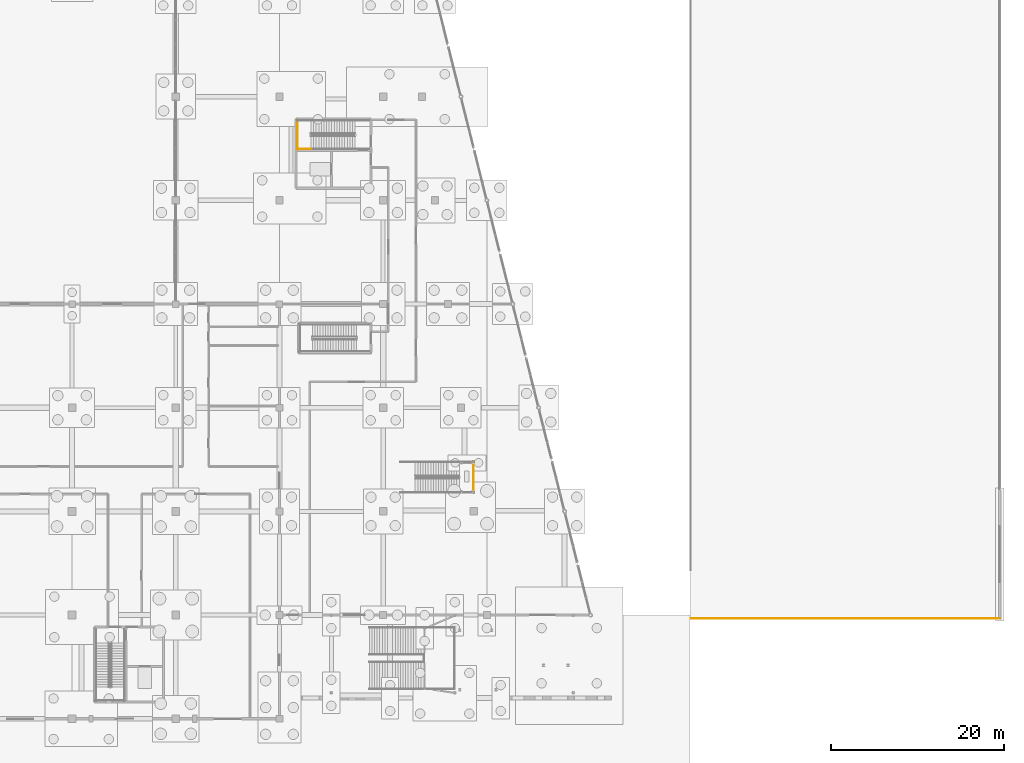
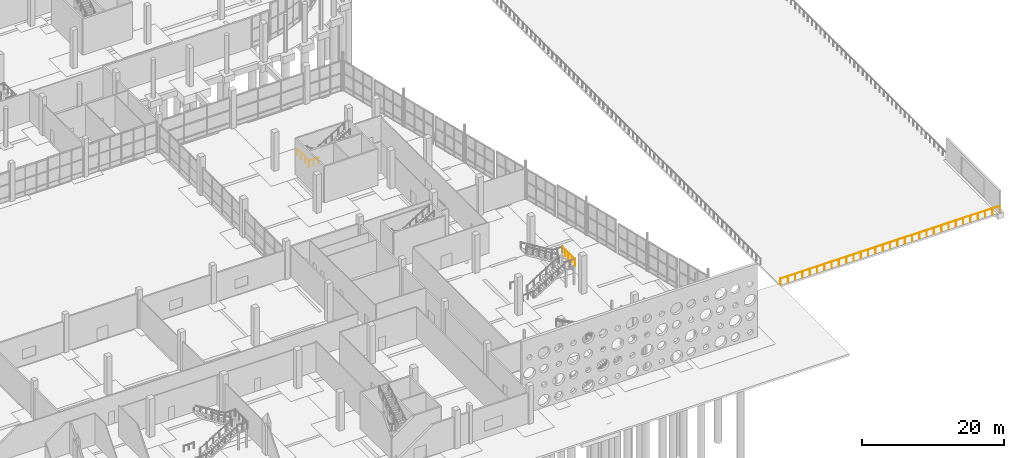
# One storey, part 111 of 117: 4 railings.
"""IFC4 building model written with IfcOpenShell, lengths in metres."""

from ifc_helpers import new_model, si_unit, direction, frame, origin, origin_2d, place, context, subcontext, project, spatial, circle, extrude, material, type_object, element, save


model = new_model("IFC4")

# Units and contexts
model_context = context("Model", 3, precision=1e-05, world=origin(), true_north=direction((0.0, 1.0)))
body_context = subcontext(model_context, "Body", "Model", "MODEL_VIEW")
ifc_project = project(units=[si_unit("LENGTHUNIT", "METRE"), si_unit("AREAUNIT", "SQUARE_METRE"), si_unit("VOLUMEUNIT", "CUBIC_METRE"), si_unit("PLANEANGLEUNIT", "RADIAN"), si_unit("MASSUNIT", "GRAM", prefix="KILO")], contexts=[model_context])

# Site, building, storey
site_placement = place(None, origin())
site = spatial("IfcSite", under=ifc_project, at=site_placement, CompositionType="ELEMENT")
building_placement = place(site_placement, origin())
building = spatial("IfcBuilding", under=site, at=building_placement, Name="Kamomehara Wholesale Market", CompositionType="ELEMENT")
storey_placement = place(building_placement, origin())
storey = spatial("IfcBuildingStorey", under=building, at=storey_placement, Name="L00", CompositionType="ELEMENT", Elevation=0.0)

# Railings
ifc_material_1 = material(Name="Steel SN400B", Category="steel")
railing_type_1 = type_object("IfcRailingType", Name="RAL-EXT-1100", PredefinedType="BALUSTRADE", material=ifc_material_1)
railing_1_placement = place(storey_placement, frame((215.60009765625, 23.60009765625, 0.0)))
element("IfcRailing", 1, at=railing_1_placement, inside=storey, type_object=railing_type_1, Name="Car park south perimeter guard", PredefinedType="BALUSTRADE", context=body_context, shape_type="SweptSolid", body=[
    extrude(circle(Radius=0.02392578125, at=origin_2d()), frame((0.0, 0.0, 1.09619140625), z_axis=(1.0, 0.0, 0.0), x_axis=(0.0, 1.0, 0.0)), (0.0, 0.0, 1.0), 35.75),
    extrude(circle(Radius=0.02099609375, at=origin_2d()), origin(), (0.0, 0.0, 1.0), 1.072021484375),
    extrude(circle(Radius=0.02099609375, at=origin_2d()), frame((1.191650390625, 0.0, 0.0)), (0.0, 0.0, 1.0), 1.072021484375),
    extrude(circle(Radius=0.02099609375, at=origin_2d()), frame((2.38330078125, 0.0, 0.0)), (0.0, 0.0, 1.0), 1.072021484375),
    extrude(circle(Radius=0.02099609375, at=origin_2d()), frame((3.574951171875, 0.0, 0.0)), (0.0, 0.0, 1.0), 1.072021484375),
    extrude(circle(Radius=0.02099609375, at=origin_2d()), frame((4.7666015625, 0.0, 0.0)), (0.0, 0.0, 1.0), 1.072021484375),
    extrude(circle(Radius=0.02099609375, at=origin_2d()), frame((5.958251953125, 0.0, 0.0)), (0.0, 0.0, 1.0), 1.072021484375),
    extrude(circle(Radius=0.02099609375, at=origin_2d()), frame((7.14990234375, 0.0, 0.0)), (0.0, 0.0, 1.0), 1.072021484375),
    extrude(circle(Radius=0.02099609375, at=origin_2d()), frame((8.341552734375, 0.0, 0.0)), (0.0, 0.0, 1.0), 1.072021484375),
    extrude(circle(Radius=0.02099609375, at=origin_2d()), frame((9.533447265625, 0.0, 0.0)), (0.0, 0.0, 1.0), 1.072021484375),
    extrude(circle(Radius=0.02099609375, at=origin_2d()), frame((10.72509765625, 0.0, 0.0)), (0.0, 0.0, 1.0), 1.072021484375),
    extrude(circle(Radius=0.02099609375, at=origin_2d()), frame((11.916748046875, 0.0, 0.0)), (0.0, 0.0, 1.0), 1.072021484375),
    extrude(circle(Radius=0.02099609375, at=origin_2d()), frame((13.1083984375, 0.0, 0.0)), (0.0, 0.0, 1.0), 1.072021484375),
    extrude(circle(Radius=0.02099609375, at=origin_2d()), frame((14.300048828125, 0.0, 0.0)), (0.0, 0.0, 1.0), 1.072021484375),
    extrude(circle(Radius=0.02099609375, at=origin_2d()), frame((15.49169921875, 0.0, 0.0)), (0.0, 0.0, 1.0), 1.072021484375),
    extrude(circle(Radius=0.02099609375, at=origin_2d()), frame((16.683349609375, 0.0, 0.0)), (0.0, 0.0, 1.0), 1.072021484375),
    extrude(circle(Radius=0.02099609375, at=origin_2d()), frame((17.875, 0.0, 0.0)), (0.0, 0.0, 1.0), 1.072021484375),
    extrude(circle(Radius=0.02099609375, at=origin_2d()), frame((19.066650390625, 0.0, 0.0)), (0.0, 0.0, 1.0), 1.072021484375),
    extrude(circle(Radius=0.02099609375, at=origin_2d()), frame((20.25830078125, 0.0, 0.0)), (0.0, 0.0, 1.0), 1.072021484375),
    extrude(circle(Radius=0.02099609375, at=origin_2d()), frame((21.449951171875, 0.0, 0.0)), (0.0, 0.0, 1.0), 1.072021484375),
    extrude(circle(Radius=0.02099609375, at=origin_2d()), frame((22.6416015625, 0.0, 0.0)), (0.0, 0.0, 1.0), 1.072021484375),
    extrude(circle(Radius=0.02099609375, at=origin_2d()), frame((23.833251953125, 0.0, 0.0)), (0.0, 0.0, 1.0), 1.072021484375),
    extrude(circle(Radius=0.02099609375, at=origin_2d()), frame((25.02490234375, 0.0, 0.0)), (0.0, 0.0, 1.0), 1.072021484375),
    extrude(circle(Radius=0.02099609375, at=origin_2d()), frame((26.216552734375, 0.0, 0.0)), (0.0, 0.0, 1.0), 1.072021484375),
    extrude(circle(Radius=0.02099609375, at=origin_2d()), frame((27.408447265625, 0.0, 0.0)), (0.0, 0.0, 1.0), 1.072021484375),
    extrude(circle(Radius=0.02099609375, at=origin_2d()), frame((28.60009765625, 0.0, 0.0)), (0.0, 0.0, 1.0), 1.072021484375),
    extrude(circle(Radius=0.02099609375, at=origin_2d()), frame((29.791748046875, 0.0, 0.0)), (0.0, 0.0, 1.0), 1.072021484375),
    extrude(circle(Radius=0.02099609375, at=origin_2d()), frame((30.9833984375, 0.0, 0.0)), (0.0, 0.0, 1.0), 1.072021484375),
    extrude(circle(Radius=0.02099609375, at=origin_2d()), frame((32.175048828125, 0.0, 0.0)), (0.0, 0.0, 1.0), 1.072021484375),
    extrude(circle(Radius=0.02099609375, at=origin_2d()), frame((33.36669921875, 0.0, 0.0)), (0.0, 0.0, 1.0), 1.072021484375),
    extrude(circle(Radius=0.02099609375, at=origin_2d()), frame((34.558349609375, 0.0, 0.0)), (0.0, 0.0, 1.0), 1.072021484375),
    extrude(circle(Radius=0.02099609375, at=origin_2d()), frame((35.75, 0.0, 0.0)), (0.0, 0.0, 1.0), 1.072021484375),
])
ifc_material_2 = material(Name="Steel SN400B", Category="steel")
railing_type_2 = type_object("IfcRailingType", Name="RAL-INT-1100", PredefinedType="BALUSTRADE", material=ifc_material_2)
railing_2_placement = place(storey_placement, frame((171.64990234375, 77.949951171875, 3.300048828125)))
element("IfcRailing", 2, at=railing_2_placement, inside=storey, type_object=railing_type_2, Name="L00 ST-09 stair guard 4", PredefinedType="BALUSTRADE", context=body_context, shape_type="SweptSolid", body=[
    extrude(circle(Radius=0.02392578125, at=origin_2d()), frame((0.0, 0.0, 1.09619140625), z_axis=(-1.0, 0.0, 0.0), x_axis=(0.0, -1.0, 0.0)), (0.0, 0.0, 1.0), 1.599853515625),
    extrude(circle(Radius=0.02099609375, at=origin_2d()), origin(), (0.0, 0.0, 1.0), 1.072021484375),
    extrude(circle(Radius=0.02099609375, at=origin_2d()), frame((-0.7998046875, 0.0, 0.0)), (0.0, 0.0, 1.0), 1.072021484375),
    extrude(circle(Radius=0.02099609375, at=origin_2d()), frame((-1.599853515625, 0.0, 0.0)), (0.0, 0.0, 1.0), 1.072021484375),
])
railing_3_placement = place(storey_placement, frame((170.10009765625, 81.300048828125, 3.300048828125)))
element("IfcRailing", 3, at=railing_3_placement, inside=storey, type_object=railing_type_2, Name="L00 ST-09 stair guard 5", PredefinedType="BALUSTRADE", context=body_context, shape_type="SweptSolid", body=[
    extrude(circle(Radius=0.02392578125, at=origin_2d()), frame((0.0, 0.0, 1.09619140625), z_axis=(0.0, -1.0, 0.0), x_axis=(1.0, 0.0, 0.0)), (0.0, 0.0, 1.0), 3.400146484375),
    extrude(circle(Radius=0.02099609375, at=origin_2d()), origin(), (0.0, 0.0, 1.0), 1.072021484375),
    extrude(circle(Radius=0.02099609375, at=origin_2d()), frame((0.0, -1.13330078125, 0.0)), (0.0, 0.0, 1.0), 1.072021484375),
    extrude(circle(Radius=0.02099609375, at=origin_2d()), frame((0.0, -2.266845703125, 0.0)), (0.0, 0.0, 1.0), 1.072021484375),
    extrude(circle(Radius=0.02099609375, at=origin_2d()), frame((0.0, -3.400146484375, 0.0)), (0.0, 0.0, 1.0), 1.072021484375),
])
railing_4_placement = place(storey_placement, frame((190.469970703125, 38.14990234375, 3.300048828125)))
element("IfcRailing", 4, at=railing_4_placement, inside=storey, type_object=railing_type_2, Name="L00 ST-18 stair guard 5", PredefinedType="BALUSTRADE", context=body_context, shape_type="SweptSolid", body=[
    extrude(circle(Radius=0.02392578125, at=origin_2d()), frame((0.0, 0.0, 1.09619140625), z_axis=(0.0, 1.0, 0.0), x_axis=(-1.0, 0.0, 0.0)), (0.0, 0.0, 1.0), 3.6201171875),
    extrude(circle(Radius=0.02099609375, at=origin_2d()), origin(), (0.0, 0.0, 1.0), 1.072021484375),
    extrude(circle(Radius=0.02099609375, at=origin_2d()), frame((0.0, 0.905029296875, 0.0)), (0.0, 0.0, 1.0), 1.072021484375),
    extrude(circle(Radius=0.02099609375, at=origin_2d()), frame((0.0, 1.81005859375, 0.0)), (0.0, 0.0, 1.0), 1.072021484375),
    extrude(circle(Radius=0.02099609375, at=origin_2d()), frame((0.0, 2.715087890625, 0.0)), (0.0, 0.0, 1.0), 1.072021484375),
    extrude(circle(Radius=0.02099609375, at=origin_2d()), frame((0.0, 3.6201171875, 0.0)), (0.0, 0.0, 1.0), 1.072021484375),
])

save(model, "model.ifc")
